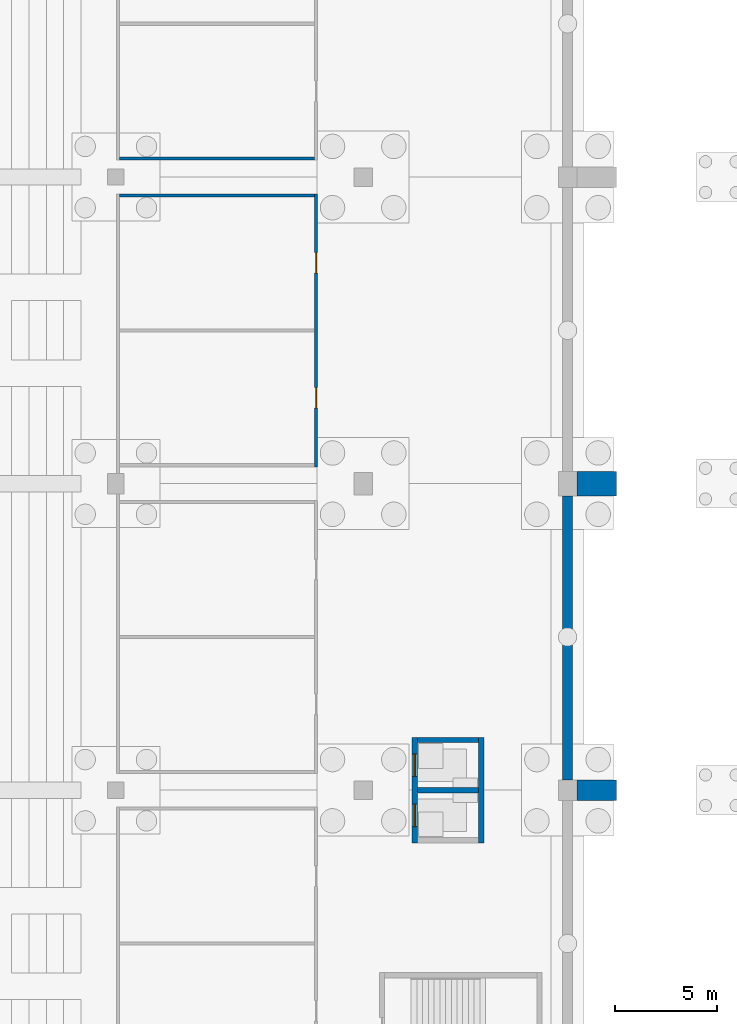
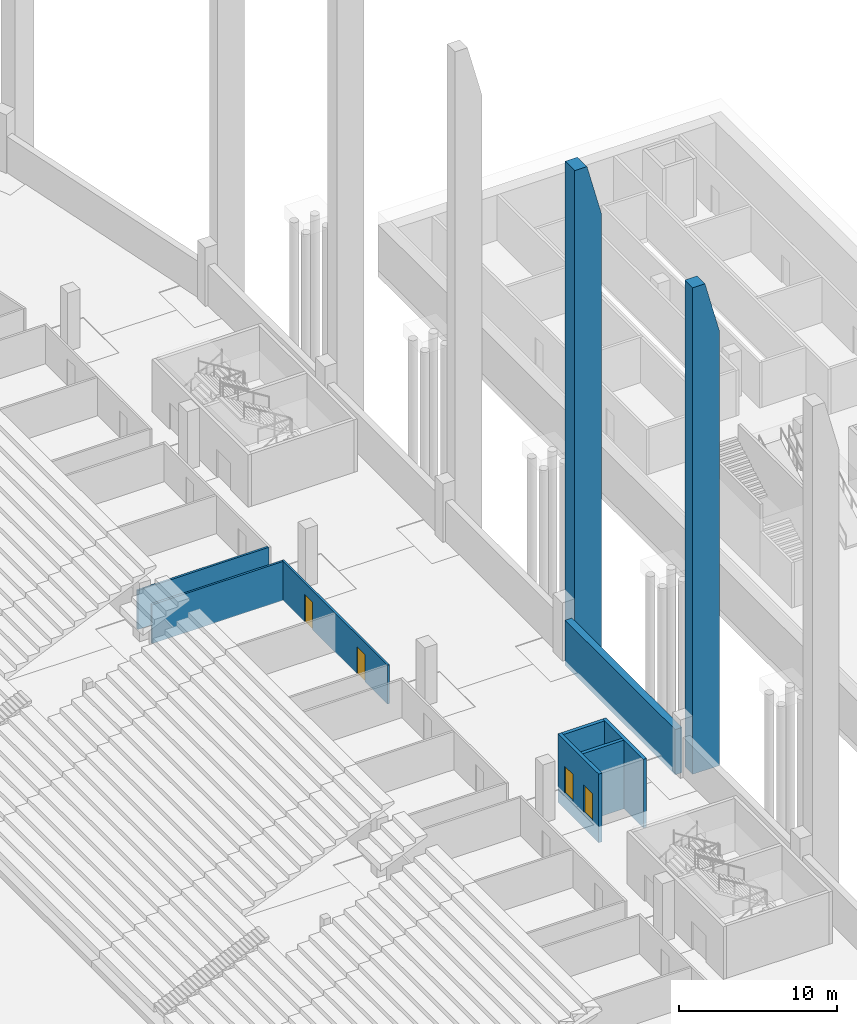
# One storey, part 29 of 115: 10 walls, 4 doors, 4 openings.
"""IFC4 building model written with IfcOpenShell, lengths in metres."""

from ifc_helpers import new_model, si_unit, direction, frame, frame_2d, origin, place, context, subcontext, project, spatial, polyline, rectangle, outline, extrude, material, layer, layer_set, type_object, element, fill, save


model = new_model("IFC4")

# Units and contexts
model_context = context("Model", 3, precision=1e-05, world=origin(), true_north=direction((0.0, 1.0)))
body_context = subcontext(model_context, "Body", "Model", "MODEL_VIEW")
ifc_project = project(units=[si_unit("LENGTHUNIT", "METRE"), si_unit("AREAUNIT", "SQUARE_METRE"), si_unit("VOLUMEUNIT", "CUBIC_METRE"), si_unit("PLANEANGLEUNIT", "RADIAN"), si_unit("MASSUNIT", "GRAM", prefix="KILO")], contexts=[model_context])

# Site, building, storey
site_placement = place(None, origin())
site = spatial("IfcSite", under=ifc_project, at=site_placement, CompositionType="ELEMENT")
building_placement = place(site_placement, origin())
building = spatial("IfcBuilding", under=site, at=building_placement, Name="Ogive Plaza Stadium", CompositionType="ELEMENT")
storey_placement = place(building_placement, frame((0.0, 0.0, -4.5)))
storey = spatial("IfcBuildingStorey", under=building, at=storey_placement, Name="B1", CompositionType="ELEMENT", Elevation=-4.5)

# Wall
ifc_material_1 = material(Name="Masonry blockwork", Category="masonry")
ifc_layer_1 = layer(ifc_material_1, 0.14990234375)
ifc_layer_set_1 = layer_set([ifc_layer_1], Name="Blockwork wall 150")
wall_type_1 = type_object("IfcWallType", Name="Blockwork wall 150", PredefinedType="SOLIDWALL", material=ifc_layer_set_1)
wall_1_placement = place(storey_placement, frame((62.074951171875, 23.39990234375, 0.0), z_axis=(0.0, 0.0, 1.0), x_axis=(1.0, 0.0, 0.0)))
element("IfcWall", 1, at=wall_1_placement, inside=storey, type_object=wall_type_1, Name="Wall B1 B02", PredefinedType="SOLIDWALL", context=body_context, shape_type="SweptSolid", body=[
    extrude(rectangle(XDim=9.550048828125, YDim=0.14990234375, at=frame_2d((4.77490234375, 0.0))), origin(), (0.0, 0.0, 1.0), 3.0),
])

# Wall, openings, doors
wall_2_placement = place(storey_placement, frame((71.699951171875, 8.324951171875, 0.0), z_axis=(0.0, 0.0, 1.0), x_axis=(0.0, 1.0, 0.0)))
wall_2 = element("IfcWall", 2, at=wall_2_placement, inside=storey, type_object=wall_type_1, Name="Wall B1 B03", PredefinedType="SOLIDWALL", context=body_context, shape_type="SweptSolid", body=[
    extrude(rectangle(XDim=13.35009765625, YDim=0.14990234375, at=frame_2d((6.675048828125, 0.0))), origin(), (0.0, 0.0, 1.0), 3.0),
])
opening_1_placement = place(wall_2_placement, frame((2.875, 0.0, 0.0)))
opening_1 = element("IfcOpeningElement", 3, at=opening_1_placement, cuts=wall_2, Name="Opening D0301", PredefinedType="OPENING", context=body_context, shape_type="SweptSolid", body=[
    extrude(rectangle(XDim=1.0, YDim=2.10009765625, at=frame_2d((0.5, 1.050048828125))), frame((0.0, 0.074951171875, 0.0), z_axis=(0.0, -1.0, 0.0), x_axis=(1.0, 0.0, 0.0)), (0.0, 0.0, 1.0), 0.14990234375),
])
opening_2_placement = place(wall_2_placement, frame((9.47509765625, 0.0, 0.0)))
opening_2 = element("IfcOpeningElement", 4, at=opening_2_placement, cuts=wall_2, Name="Opening D0302", PredefinedType="OPENING", context=body_context, shape_type="SweptSolid", body=[
    extrude(rectangle(XDim=1.0, YDim=2.10009765625, at=frame_2d((0.5, 1.050048828125))), frame((0.0, 0.074951171875, 0.0), z_axis=(0.0, -1.0, 0.0), x_axis=(1.0, 0.0, 0.0)), (0.0, 0.0, 1.0), 0.14990234375),
])
ifc_material_2 = material(Name="Steel ASTM A572 Grade 50", Category="steel")
door_type_1 = type_object("IfcDoorType", Name="Fire door FD60 1000 x 2100", OperationType="SINGLE_SWING_LEFT", PredefinedType="DOOR", material=ifc_material_2)
door_1_placement = place(opening_1_placement, origin())
door_1 = element("IfcDoor", 5, at=door_1_placement, inside=storey, type_object=door_type_1, Name="Warm-up Room B03 door", OperationType="SINGLE_SWING_LEFT", OverallHeight=2.10009765625, OverallWidth=1.0, PredefinedType="DOOR", context=body_context, shape_type="SweptSolid", body=[
    extrude(rectangle(XDim=1.0, YDim=2.10009765625, at=frame_2d((0.5, 1.050048828125))), frame((0.0, 0.02490234375, 0.0), z_axis=(0.0, -1.0, 0.0), x_axis=(1.0, 0.0, 0.0)), (0.0, 0.0, 1.0), 0.050048828125),
])
fill(opening_1, door_1)
door_2_placement = place(opening_2_placement, origin())
door_2 = element("IfcDoor", 6, at=door_2_placement, inside=storey, type_object=door_type_1, Name="Away Team Changing Room B03 door", OperationType="SINGLE_SWING_RIGHT", OverallHeight=2.10009765625, OverallWidth=1.0, PredefinedType="DOOR", context=body_context, shape_type="SweptSolid", body=[
    extrude(rectangle(XDim=1.0, YDim=2.10009765625, at=frame_2d((0.5, 1.050048828125))), frame((0.0, 0.02490234375, 0.0), z_axis=(0.0, -1.0, 0.0), x_axis=(1.0, 0.0, 0.0)), (0.0, 0.0, 1.0), 0.050048828125),
])
fill(opening_2, door_2)

# Walls
wall_3_placement = place(storey_placement, frame((62.074951171875, 21.60009765625, 0.0), z_axis=(0.0, 0.0, 1.0), x_axis=(1.0, 0.0, 0.0)))
element("IfcWall", 7, at=wall_3_placement, inside=storey, type_object=wall_type_1, Name="Wall B1 B03", PredefinedType="SOLIDWALL", context=body_context, shape_type="SweptSolid", body=[
    extrude(rectangle(XDim=9.550048828125, YDim=0.14990234375, at=frame_2d((4.77490234375, 0.0))), origin(), (0.0, 0.0, 1.0), 3.0),
])
ifc_material_3 = material(Name="Concrete C45/55 precast", Category="concrete")
ifc_layer_2 = layer(ifc_material_3, 0.949951171875)
ifc_material_4 = material(Name="Cast stone (reconstituted limestone)", Category="masonry")
ifc_layer_3 = layer(ifc_material_4, 0.050048828125)
ifc_layer_set_2 = layer_set([ifc_layer_2, ifc_layer_3], Name="Concrete C45/55 precast, cast stone facing")
wall_type_2 = type_object("IfcWallType", Name="Buttress pier 1000", PredefinedType="SOLIDWALL", material=ifc_layer_set_2)
wall_4_placement = place(storey_placement, frame((84.449951171875, -7.5, 0.0), z_axis=(0.0, 0.0, 1.0), x_axis=(1.0, 0.0, 0.0)))
element("IfcWall", 8, at=wall_4_placement, inside=storey, type_object=wall_type_2, Name="BUTTRESS PIER R05", PredefinedType="SOLIDWALL", context=body_context, shape_type="SweptSolid", body=[
    extrude(outline(polyline([(0.0, 0.0), (1.949951171875, 0.0), (1.949951171875, 33.5), (0.89990234375, 37.5), (0.0, 37.5), (0.0, 0.0)])), frame((0.0, 0.5, 0.0), z_axis=(0.0, -1.0, 0.0), x_axis=(1.0, 0.0, 0.0)), (0.0, 0.0, 1.0), 1.0),
])
ifc_material_5 = material(Name="Concrete C45/55 precast", Category="concrete")
ifc_layer_4 = layer(ifc_material_5, 1.14990234375)
ifc_material_6 = material(Name="Cast stone (reconstituted limestone)", Category="masonry")
ifc_layer_5 = layer(ifc_material_6, 0.050048828125)
ifc_layer_set_3 = layer_set([ifc_layer_4, ifc_layer_5], Name="Concrete C45/55 precast, cast stone facing")
wall_type_3 = type_object("IfcWallType", Name="Buttress pier 1200", PredefinedType="SOLIDWALL", material=ifc_layer_set_3)
wall_5_placement = place(storey_placement, frame((84.449951171875, 7.5, 0.0), z_axis=(0.0, 0.0, 1.0), x_axis=(1.0, 0.0, 0.0)))
element("IfcWall", 9, at=wall_5_placement, inside=storey, type_object=wall_type_3, Name="BUTTRESS PIER R04", PredefinedType="SOLIDWALL", context=body_context, shape_type="SweptSolid", body=[
    extrude(outline(polyline([(0.0, 0.0), (1.949951171875, 0.0), (1.949951171875, 33.5), (0.89990234375, 37.5), (0.0, 37.5), (0.0, 0.0)])), frame((0.0, 0.60009765625, 0.0), z_axis=(0.0, -1.0, 0.0), x_axis=(1.0, 0.0, 0.0)), (0.0, 0.0, 1.0), 1.199951171875),
])

# Wall, openings, doors
ifc_material_7 = material(Name="Concrete C40/50", Category="concrete")
ifc_layer_6 = layer(ifc_material_7, 0.25)
ifc_layer_set_4 = layer_set([ifc_layer_6], Name="Concrete C40/50")
wall_type_4 = type_object("IfcWallType", Name="Core wall 250 A", PredefinedType="SHEAR", material=ifc_layer_set_4)
wall_6_placement = place(storey_placement, frame((76.52490234375, -10.074951171875, -1.199951171875), z_axis=(0.0, 0.0, 1.0), x_axis=(0.0, 1.0, 0.0)))
wall_6 = element("IfcWall", 10, at=wall_6_placement, inside=storey, type_object=wall_type_4, Name="Lift core LP05 landing wall", PredefinedType="SHEAR", context=body_context, shape_type="SweptSolid", body=[
    extrude(rectangle(XDim=5.14990234375, YDim=0.25, at=frame_2d((2.574951171875, 0.0))), origin(), (0.0, 0.0, 1.0), 5.2900390625),
])
opening_3_placement = place(wall_6_placement, frame((0.800048828125, 0.0, 1.199951171875)))
opening_3 = element("IfcOpeningElement", 11, at=opening_3_placement, cuts=wall_6, Name="Opening LD007", PredefinedType="OPENING", context=body_context, shape_type="SweptSolid", body=[
    extrude(rectangle(XDim=1.10009765625, YDim=2.10009765625, at=frame_2d((0.550048828125, 1.050048828125))), frame((0.0, 0.125, 0.0), z_axis=(0.0, -1.0, 0.0), x_axis=(1.0, 0.0, 0.0)), (0.0, 0.0, 1.0), 0.25),
])
opening_4_placement = place(wall_6_placement, frame((3.25, 0.0, 1.199951171875)))
opening_4 = element("IfcOpeningElement", 12, at=opening_4_placement, cuts=wall_6, Name="Opening LD008", PredefinedType="OPENING", context=body_context, shape_type="SweptSolid", body=[
    extrude(rectangle(XDim=1.10009765625, YDim=2.10009765625, at=frame_2d((0.550048828125, 1.050048828125))), frame((0.0, 0.125, 0.0), z_axis=(0.0, -1.0, 0.0), x_axis=(1.0, 0.0, 0.0)), (0.0, 0.0, 1.0), 0.25),
])
ifc_material_8 = material(Name="Steel ASTM A572 Grade 50", Category="steel")
door_type_2 = type_object("IfcDoorType", Name="Landing door 1100 x 2100", OperationType="SLIDING_TO_LEFT", PredefinedType="DOOR", material=ifc_material_8)
door_3_placement = place(opening_3_placement, origin())
door_3 = element("IfcDoor", 13, at=door_3_placement, inside=storey, type_object=door_type_2, Name="Lift landing door LP05 B1", OperationType="SLIDING_TO_LEFT", OverallHeight=2.10009765625, OverallWidth=1.10009765625, PredefinedType="DOOR", context=body_context, shape_type="SweptSolid", body=[
    extrude(rectangle(XDim=1.10009765625, YDim=2.10009765625, at=frame_2d((0.550048828125, 1.050048828125))), frame((0.0, 0.02490234375, 0.0), z_axis=(0.0, -1.0, 0.0), x_axis=(1.0, 0.0, 0.0)), (0.0, 0.0, 1.0), 0.050048828125),
])
fill(opening_3, door_3)
door_4_placement = place(opening_4_placement, origin())
door_4 = element("IfcDoor", 14, at=door_4_placement, inside=storey, type_object=door_type_2, Name="Lift landing door LP05 B1", OperationType="SLIDING_TO_LEFT", OverallHeight=2.10009765625, OverallWidth=1.10009765625, PredefinedType="DOOR", context=body_context, shape_type="SweptSolid", body=[
    extrude(rectangle(XDim=1.10009765625, YDim=2.10009765625, at=frame_2d((0.550048828125, 1.050048828125))), frame((0.0, 0.02490234375, 0.0), z_axis=(0.0, -1.0, 0.0), x_axis=(1.0, 0.0, 0.0)), (0.0, 0.0, 1.0), 0.050048828125),
])
fill(opening_4, door_4)

# Walls
wall_7_placement = place(storey_placement, frame((79.77490234375, -10.074951171875, -1.199951171875), z_axis=(0.0, 0.0, 1.0), x_axis=(0.0, 1.0, 0.0)))
element("IfcWall", 15, at=wall_7_placement, inside=storey, type_object=wall_type_4, Name="Lift core LP05 rear wall", PredefinedType="SHEAR", context=body_context, shape_type="SweptSolid", body=[
    extrude(rectangle(XDim=5.14990234375, YDim=0.25, at=frame_2d((2.574951171875, 0.0))), origin(), (0.0, 0.0, 1.0), 5.2900390625),
])
for number, where, z_axis, x_axis, name in (
    (16, (76.64990234375, -5.050048828125, -1.199951171875), (0.0, 0.0, 1.0), (1.0, 0.0, 0.0), "Lift core LP05 side wall"),
    (17, (76.64990234375, -7.5, -1.199951171875), (0.0, 0.0, 1.0), (1.0, 0.0, 0.0), "Lift core LP05 centre wall"),
):
    element("IfcWall", number, at=place(storey_placement, frame(where, z_axis=z_axis, x_axis=x_axis)), inside=storey, type_object=wall_type_4, Name=name, PredefinedType="SHEAR", context=body_context, shape_type="SweptSolid", body=[
        extrude(rectangle(XDim=3.0, YDim=0.25, at=frame_2d((1.5, 0.0))), origin(), (0.0, 0.0, 1.0), 5.2900390625),
    ])
ifc_material_9 = material(Name="Concrete C40/50", Category="concrete")
ifc_layer_7 = layer(ifc_material_9, 0.5)
ifc_layer_set_5 = layer_set([ifc_layer_7], Name="Concrete C40/50")
wall_type_5 = type_object("IfcWallType", Name="RC retaining wall 500", PredefinedType="SOLIDWALL", material=ifc_layer_set_5)
wall_8_placement = place(storey_placement, frame((84.0, 6.89990234375, -0.39990234375), z_axis=(0.0, 0.0, 1.0), x_axis=(0.0, -1.0, 0.0)))
element("IfcWall", 18, at=wall_8_placement, inside=storey, type_object=wall_type_5, Name="Retaining wall B04", PredefinedType="SOLIDWALL", context=body_context, shape_type="SweptSolid", body=[
    extrude(rectangle(XDim=13.89990234375, YDim=0.5, at=frame_2d((6.949951171875, 0.0))), origin(), (0.0, 0.0, 1.0), 3.489990234375),
])

save(model, "model.ifc")
